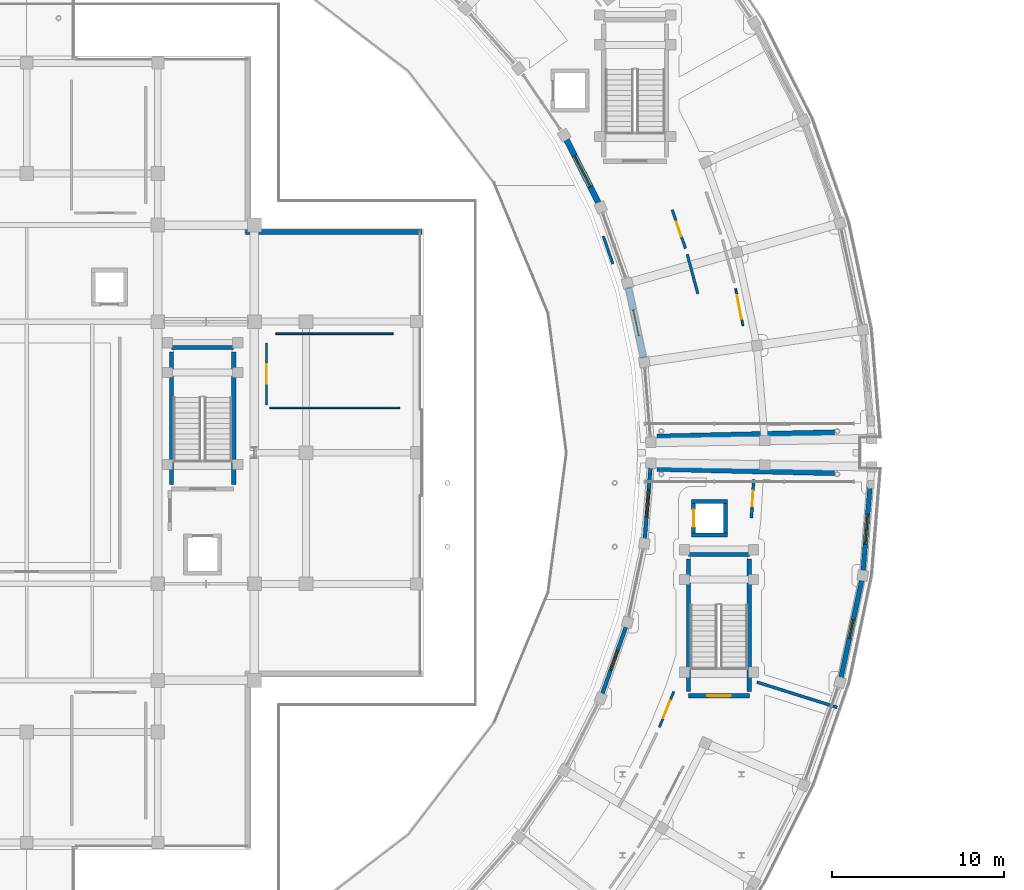
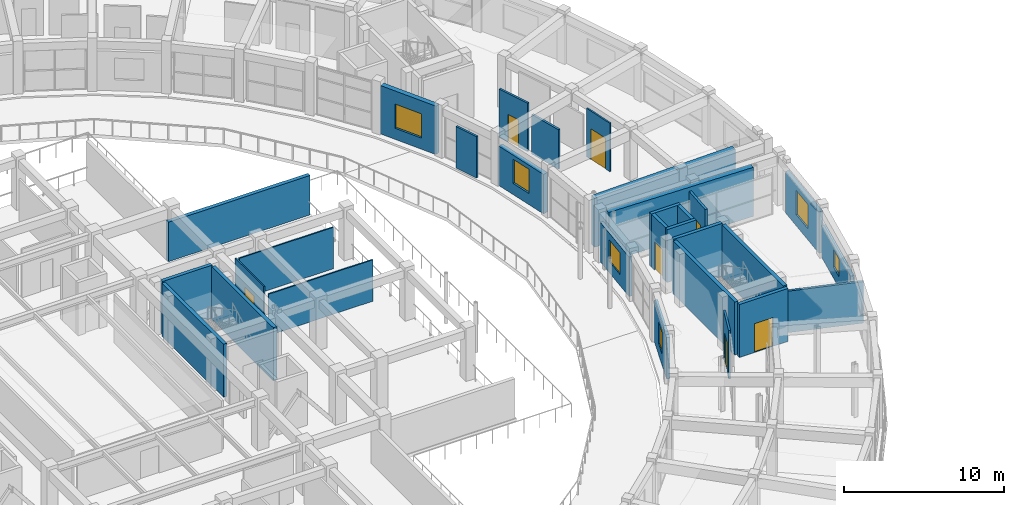
# One storey, part 60 of 83: 30 walls, 7 doors, 6 windows, 13 openings.
"""IFC4 building model written with IfcOpenShell, lengths in metres."""

from ifc_helpers import new_model, si_unit, direction, frame, frame_2d, origin, place, context, subcontext, project, spatial, rectangle, extrude, material, layer, layer_set, type_object, element, fill, save


model = new_model("IFC4")

# Units and contexts
model_context = context("Model", 3, precision=1e-05, world=origin(), true_north=direction((0.0, 1.0)))
body_context = subcontext(model_context, "Body", "Model", "MODEL_VIEW")
ifc_project = project(units=[si_unit("LENGTHUNIT", "METRE"), si_unit("AREAUNIT", "SQUARE_METRE"), si_unit("VOLUMEUNIT", "CUBIC_METRE"), si_unit("PLANEANGLEUNIT", "RADIAN"), si_unit("MASSUNIT", "GRAM", prefix="KILO")], contexts=[model_context])

# Site, building, storey
site_placement = place(None, origin())
site = spatial("IfcSite", under=ifc_project, at=site_placement, CompositionType="ELEMENT")
building_placement = place(site_placement, origin())
building = spatial("IfcBuilding", under=site, at=building_placement, Name="Saryqyr Civic Hall", CompositionType="ELEMENT")
storey_placement = place(building_placement, frame((0.0, 0.0, 9.14990234375)))
storey = spatial("IfcBuildingStorey", under=building, at=storey_placement, Name="L02", CompositionType="ELEMENT", Elevation=9.14990234375)

# Wall, opening, window
ifc_material_1 = material(Name="Precast concrete C40/50", Category="concrete")
ifc_layer_1 = layer(ifc_material_1, 0.219970703125, Name="Precast concrete C40/50")
ifc_layer_set_1 = layer_set([ifc_layer_1], Name="Precast concrete C40/50")
wall_type_1 = type_object("IfcWallType", Name="ENV-WAL-EXT-220", PredefinedType="STANDARD", material=ifc_layer_set_1)
wall_1_placement = place(storey_placement, frame((90.364501953125, 69.99462890625, 0.0), z_axis=(0.0, 0.0, 1.0), x_axis=(0.333168640656, 0.942867253055, 0.0)))
wall_1 = element("IfcWall", 1, at=wall_1_placement, inside=storey, type_object=wall_type_1, Name="Exterior wall V5-EWI-L02-07", PredefinedType="STANDARD", context=body_context, shape_type="SweptSolid", body=[
    extrude(rectangle(XDim=4.1767578125, YDim=0.219970703125, at=frame_2d((2.08837890625, 0.0))), origin(), (0.0, 0.0, 1.0), 3.1650390625),
])
opening_1_placement = place(wall_1_placement, frame((1.488037109375, 0.0, 0.85009765625)))
opening_1 = element("IfcOpeningElement", 2, at=opening_1_placement, cuts=wall_1, Name="Opening W-17", PredefinedType="OPENING", context=body_context, shape_type="SweptSolid", body=[
    extrude(rectangle(XDim=1.199951171875, YDim=1.64990234375, at=frame_2d((0.60009765625, 0.824951171875))), frame((0.0, 0.119873046875, 0.0), z_axis=(0.0, -1.0, 0.0), x_axis=(1.0, 0.0, 0.0)), (0.0, 0.0, 1.0), 0.239990234375),
])
ifc_material_2 = material(Name="Anodised aluminium and triple low-E glass", Category="aluminium")
window_type_1 = type_object("IfcWindowType", Name="ENV-WIN-W17", PartitioningType="SINGLE_PANEL", PredefinedType="WINDOW", material=ifc_material_2)
window_1_placement = place(opening_1_placement, origin())
window_1 = element("IfcWindow", 3, at=window_1_placement, inside=storey, type_object=window_type_1, Name="Courtyard window V5-L02-07", OverallHeight=1.64990234375, OverallWidth=1.199951171875, PartitioningType="SINGLE_PANEL", PredefinedType="WINDOW", context=body_context, shape_type="SweptSolid", body=[
    extrude(rectangle(XDim=1.199951171875, YDim=1.64990234375, at=frame_2d((0.60009765625, 0.824951171875))), frame((0.0, 0.030029296875, 0.0), z_axis=(0.0, -1.0, 0.0), x_axis=(1.0, 0.0, 0.0)), (0.0, 0.0, 1.0), 0.06005859375),
])
fill(opening_1, window_1)

wall_2_placement = place(storey_placement, frame((92.8349609375, 78.974853515625, 0.0), z_axis=(0.0, 0.0, 1.0), x_axis=(0.081074723481, 0.99670802606, 0.0)))
wall_2 = element("IfcWall", 4, at=wall_2_placement, inside=storey, type_object=wall_type_1, Name="Exterior wall V5-EWI-L02-09", PredefinedType="STANDARD", context=body_context, shape_type="SweptSolid", body=[
    extrude(rectangle(XDim=4.203857421875, YDim=0.219970703125, at=frame_2d((2.10205078125, 0.0))), origin(), (0.0, 0.0, 1.0), 3.01513671875),
])
opening_2_placement = place(wall_2_placement, frame((1.302001953125, 0.0, 0.85009765625)))
opening_2 = element("IfcOpeningElement", 5, at=opening_2_placement, cuts=wall_2, Name="Opening W-19", PredefinedType="OPENING", context=body_context, shape_type="SweptSolid", body=[
    extrude(rectangle(XDim=1.60009765625, YDim=1.64990234375, at=frame_2d((0.800048828125, 0.824951171875))), frame((0.0, 0.119873046875, 0.0), z_axis=(0.0, -1.0, 0.0), x_axis=(1.0, 0.0, 0.0)), (0.0, 0.0, 1.0), 0.239990234375),
])
window_type_2 = type_object("IfcWindowType", Name="ENV-WIN-W19", PartitioningType="SINGLE_PANEL", PredefinedType="WINDOW", material=ifc_material_2)
window_2_placement = place(opening_2_placement, origin())
window_2 = element("IfcWindow", 6, at=window_2_placement, inside=storey, type_object=window_type_2, Name="Courtyard window V5-L02-09", OverallHeight=1.64990234375, OverallWidth=1.60009765625, PartitioningType="SINGLE_PANEL", PredefinedType="WINDOW", context=body_context, shape_type="SweptSolid", body=[
    extrude(rectangle(XDim=1.60009765625, YDim=1.64990234375, at=frame_2d((0.800048828125, 0.824951171875))), frame((0.0, 0.030029296875, 0.0), z_axis=(0.0, -1.0, 0.0), x_axis=(1.0, 0.0, 0.0)), (0.0, 0.0, 1.0), 0.06005859375),
])
fill(opening_2, window_2)

ifc_layer_2 = layer(ifc_material_1, 0.27001953125, Name="Precast concrete C40/50")
ifc_layer_set_2 = layer_set([ifc_layer_2], Name="Precast concrete C40/50")
wall_type_2 = type_object("IfcWallType", Name="ENV-WAL-EXT-270", PredefinedType="STANDARD", material=ifc_layer_set_2)
wall_3_placement = place(storey_placement, frame((105.4296875, 76.64501953125, 0.0), z_axis=(0.0, 0.0, 1.0), x_axis=(-0.208873267346, -0.977942717233, 0.0)))
wall_3 = element("IfcWall", 7, at=wall_3_placement, inside=storey, type_object=wall_type_2, Name="Exterior wall V5-EWO-L02-08", PredefinedType="STANDARD", context=body_context, shape_type="SweptSolid", body=[
    extrude(rectangle(XDim=5.84765625, YDim=0.27001953125, at=frame_2d((2.923828125, 0.0))), origin(), (0.0, 0.0, 1.0), 2.4501953125),
])
opening_3_placement = place(wall_3_placement, frame((2.3740234375, 0.0, 0.85009765625)))
opening_3 = element("IfcOpeningElement", 8, at=opening_3_placement, cuts=wall_3, Name="Opening W-01", PredefinedType="OPENING", context=body_context, shape_type="SweptSolid", body=[
    extrude(rectangle(XDim=1.10009765625, YDim=1.35009765625, at=frame_2d((0.550048828125, 0.675048828125))), frame((0.0, 0.14501953125, 0.0), z_axis=(0.0, -1.0, 0.0), x_axis=(1.0, 0.0, 0.0)), (0.0, 0.0, 1.0), 0.2900390625),
])
window_type_3 = type_object("IfcWindowType", Name="ENV-WIN-W01", PartitioningType="SINGLE_PANEL", PredefinedType="WINDOW", material=ifc_material_2)
window_3_placement = place(opening_3_placement, origin())
window_3 = element("IfcWindow", 9, at=window_3_placement, inside=storey, type_object=window_type_3, Name="Exterior ribbon window V5-L02-08", OverallHeight=1.35009765625, OverallWidth=1.10009765625, PartitioningType="SINGLE_PANEL", PredefinedType="WINDOW", context=body_context, shape_type="SweptSolid", body=[
    extrude(rectangle(XDim=1.10009765625, YDim=1.35009765625, at=frame_2d((0.550048828125, 0.675048828125))), frame((0.0, 0.030029296875, 0.0), z_axis=(0.0, -1.0, 0.0), x_axis=(1.0, 0.0, 0.0)), (0.0, 0.0, 1.0), 0.06005859375),
])
fill(opening_3, window_3)

wall_4_placement = place(storey_placement, frame((105.897705078125, 82.01171875, 0.0), z_axis=(0.0, 0.0, 1.0), x_axis=(-0.081149437974, -0.996701945777, 0.0)))
wall_4 = element("IfcWall", 10, at=wall_4_placement, inside=storey, type_object=wall_type_2, Name="Exterior wall V5-EWO-L02-09", PredefinedType="STANDARD", context=body_context, shape_type="SweptSolid", body=[
    extrude(rectangle(XDim=4.912841796875, YDim=0.27001953125, at=frame_2d((2.45654296875, 0.0))), origin(), (0.0, 0.0, 1.0), 3.1650390625),
])
opening_4_placement = place(wall_4_placement, frame((1.5810546875, 0.0, 0.85009765625)))
opening_4 = element("IfcOpeningElement", 11, at=opening_4_placement, cuts=wall_4, Name="Opening W-27", PredefinedType="OPENING", context=body_context, shape_type="SweptSolid", body=[
    extrude(rectangle(XDim=1.75, YDim=1.85009765625, at=frame_2d((0.875, 0.925048828125))), frame((0.0, 0.14501953125, 0.0), z_axis=(0.0, -1.0, 0.0), x_axis=(1.0, 0.0, 0.0)), (0.0, 0.0, 1.0), 0.2900390625),
])
window_type_4 = type_object("IfcWindowType", Name="ENV-WIN-W27", PartitioningType="SINGLE_PANEL", PredefinedType="WINDOW", material=ifc_material_2)
window_4_placement = place(opening_4_placement, origin())
window_4 = element("IfcWindow", 12, at=window_4_placement, inside=storey, type_object=window_type_4, Name="Exterior ribbon window V5-L02-09", OverallHeight=1.85009765625, OverallWidth=1.75, PartitioningType="SINGLE_PANEL", PredefinedType="WINDOW", context=body_context, shape_type="SweptSolid", body=[
    extrude(rectangle(XDim=1.75, YDim=1.85009765625, at=frame_2d((0.875, 0.925048828125))), frame((0.0, 0.030029296875, 0.0), z_axis=(0.0, -1.0, 0.0), x_axis=(1.0, 0.0, 0.0)), (0.0, 0.0, 1.0), 0.06005859375),
])
fill(opening_4, window_4)

# Wall
wall_5_placement = place(storey_placement, frame((69.679931640625, 96.800048828125, 0.0), z_axis=(0.0, 0.0, 1.0), x_axis=(1.0, 0.0, 0.0)))
element("IfcWall", 13, at=wall_5_placement, inside=storey, type_object=wall_type_2, Name="Exterior wall V1-EW-L02-07", PredefinedType="STANDARD", context=body_context, shape_type="SweptSolid", body=[
    extrude(rectangle(XDim=10.239990234375, YDim=0.27001953125, at=frame_2d((5.1201171875, 0.0))), origin(), (0.0, 0.0, 1.0), 3.01513671875),
])

# Wall, opening, window
ifc_layer_3 = layer(ifc_material_1, 0.340087890625, Name="Precast concrete C40/50")
ifc_layer_set_3 = layer_set([ifc_layer_3], Name="Precast concrete C40/50")
wall_type_3 = type_object("IfcWallType", Name="ENV-WAL-EXT-340", PredefinedType="STANDARD", material=ifc_layer_set_3)
wall_6_placement = place(storey_placement, frame((92.765625, 89.4951171875, 0.0), z_axis=(0.0, 0.0, 1.0), x_axis=(-0.208893062569, 0.977938489073, 0.0)))
wall_6 = element("IfcWall", 14, at=wall_6_placement, inside=storey, type_object=wall_type_3, Name="Exterior wall V6-EWI-L02-01", PredefinedType="STANDARD", context=body_context, shape_type="SweptSolid", body=[
    extrude(rectangle(XDim=4.194580078125, YDim=0.340087890625, at=frame_2d((2.09716796875, 0.0))), origin(), (0.0, 0.0, 1.0), 3.01513671875),
])
opening_5_placement = place(wall_6_placement, frame((1.346923828125, 0.0, 0.85009765625)))
opening_5 = element("IfcOpeningElement", 15, at=opening_5_placement, cuts=wall_6, Name="Opening W-26", PredefinedType="OPENING", context=body_context, shape_type="SweptSolid", body=[
    extrude(rectangle(XDim=1.5, YDim=1.85009765625, at=frame_2d((0.75, 0.925048828125))), frame((0.0, 0.179931640625, 0.0), z_axis=(0.0, -1.0, 0.0), x_axis=(1.0, 0.0, 0.0)), (0.0, 0.0, 1.0), 0.360107421875),
])
window_type_5 = type_object("IfcWindowType", Name="ENV-WIN-W26", PartitioningType="SINGLE_PANEL", PredefinedType="WINDOW", material=ifc_material_2)
window_5_placement = place(opening_5_placement, origin())
window_5 = element("IfcWindow", 16, at=window_5_placement, inside=storey, type_object=window_type_5, Name="Courtyard window V6-L02-01", OverallHeight=1.85009765625, OverallWidth=1.5, PartitioningType="SINGLE_PANEL", PredefinedType="WINDOW", context=body_context, shape_type="SweptSolid", body=[
    extrude(rectangle(XDim=1.5, YDim=1.85009765625, at=frame_2d((0.75, 0.925048828125))), frame((0.0, 0.030029296875, 0.0), z_axis=(0.0, -1.0, 0.0), x_axis=(1.0, 0.0, 0.0)), (0.0, 0.0, 1.0), 0.06005859375),
])
fill(opening_5, window_5)

wall_7_placement = place(storey_placement, frame((90.162353515625, 98.475341796875, 0.0), z_axis=(0.0, 0.0, 1.0), x_axis=(-0.451915465701, 0.89206076691, 0.0)))
wall_7 = element("IfcWall", 17, at=wall_7_placement, inside=storey, type_object=wall_type_3, Name="Exterior wall V6-EWI-L02-03", PredefinedType="STANDARD", context=body_context, shape_type="SweptSolid", body=[
    extrude(rectangle(XDim=4.1484375, YDim=0.340087890625, at=frame_2d((2.07421875, 0.0))), origin(), (0.0, 0.0, 1.0), 3.7001953125),
])
opening_6_placement = place(wall_7_placement, frame((1.073974609375, 0.0, 0.85009765625)))
opening_6 = element("IfcOpeningElement", 18, at=opening_6_placement, cuts=wall_7, Name="Opening W-28", PredefinedType="OPENING", context=body_context, shape_type="SweptSolid", body=[
    extrude(rectangle(XDim=2.0, YDim=1.85009765625, at=frame_2d((1.0, 0.925048828125))), frame((0.0, 0.179931640625, 0.0), z_axis=(0.0, -1.0, 0.0), x_axis=(1.0, 0.0, 0.0)), (0.0, 0.0, 1.0), 0.360107421875),
])
window_type_6 = type_object("IfcWindowType", Name="ENV-WIN-W28", PartitioningType="SINGLE_PANEL", PredefinedType="WINDOW", material=ifc_material_2)
window_6_placement = place(opening_6_placement, origin())
window_6 = element("IfcWindow", 19, at=window_6_placement, inside=storey, type_object=window_type_6, Name="Courtyard window V6-L02-03", OverallHeight=1.85009765625, OverallWidth=2.0, PartitioningType="SINGLE_PANEL", PredefinedType="WINDOW", context=body_context, shape_type="SweptSolid", body=[
    extrude(rectangle(XDim=2.0, YDim=1.85009765625, at=frame_2d((1.0, 0.925048828125))), frame((0.0, 0.030029296875, 0.0), z_axis=(0.0, -1.0, 0.0), x_axis=(1.0, 0.0, 0.0)), (0.0, 0.0, 1.0), 0.06005859375),
])
fill(opening_6, window_6)

# Walls
ifc_material_3 = material(Name="Concrete C40/50", Category="concrete")
ifc_layer_4 = layer(ifc_material_3, 0.3798828125, Name="Concrete C40/50")
ifc_layer_set_4 = layer_set([ifc_layer_4], Name="Concrete C40/50")
wall_type_4 = type_object("IfcWallType", Name="ENV-WAL-PTY-380", PredefinedType="SHEAR", material=ifc_layer_set_4)
for number, where, z_axis, x_axis, name in (
    (20, (93.5390625, 83.10693359375, 0.0), (0.0, 0.0, 1.0), (0.999701591947, -0.024427997417, 0.0), "Exterior wall V5-JNTW-B-L02"),
    (21, (103.85009765625, 85.14501953125, 0.0), (0.0, 0.0, 1.0), (-0.999701591947, -0.024427997417, 0.0), "Exterior wall V6-JNTW-A-L02"),
):
    element("IfcWall", number, at=place(storey_placement, frame(where, z_axis=z_axis, x_axis=x_axis)), inside=storey, type_object=wall_type_4, Name=name, PredefinedType="SHEAR", context=body_context, shape_type="SweptSolid", body=[
        extrude(rectangle(XDim=10.314208984375, YDim=0.3798828125, at=frame_2d((5.1572265625, 0.0))), origin(), (0.0, 0.0, 1.0), 3.75),
    ])

# Wall, opening, door
ifc_material_4 = material(Name="Lightweight demountable partition", Category="gypsum")
ifc_layer_5 = layer(ifc_material_4, 0.094970703125, Name="Lightweight demountable partition")
ifc_layer_set_5 = layer_set([ifc_layer_5], Name="Lightweight demountable partition")
wall_type_5 = type_object("IfcWallType", Name="INT-WAL-PRT-095", PredefinedType="PARTITIONING", material=ifc_layer_set_5)
wall_8_placement = place(storey_placement, frame((70.89990234375, 86.780029296875, 0.0), z_axis=(0.0, 0.0, 1.0), x_axis=(0.0, 1.0, 0.0)))
wall_8 = element("IfcWall", 22, at=wall_8_placement, inside=storey, type_object=wall_type_5, Name="Interior partition PRT-SP-V1-L02-R05-W1", PredefinedType="PARTITIONING", context=body_context, shape_type="SweptSolid", body=[
    extrude(rectangle(XDim=3.570068359375, YDim=0.094970703125, at=frame_2d((1.78515625, 0.0))), origin(), (0.0, 0.0, 1.0), 3.7001953125),
])
opening_7_placement = place(wall_8_placement, frame((1.2099609375, 0.0, 0.0)))
opening_7 = element("IfcOpeningElement", 23, at=opening_7_placement, cuts=wall_8, Name="Opening D-11", PredefinedType="OPENING", context=body_context, shape_type="SweptSolid", body=[
    extrude(rectangle(XDim=1.14990234375, YDim=2.219970703125, at=frame_2d((0.574951171875, 1.10986328125))), frame((0.0, 0.057373046875, 0.0), z_axis=(0.0, -1.0, 0.0), x_axis=(1.0, 0.0, 0.0)), (0.0, 0.0, 1.0), 0.114990234375),
])
ifc_material_5 = material(Name="Acoustic solid-core oak veneer", Category="wood")
door_type_1 = type_object("IfcDoorType", Name="INT-DR-D-11", OperationType="NOTDEFINED", PredefinedType="DOOR", material=ifc_material_5)
door_1_placement = place(opening_7_placement, origin())
door_1 = element("IfcDoor", 24, at=door_1_placement, inside=storey, type_object=door_type_1, Name="Interior door Caucus Room East & Accessible MGN WC", OperationType="SINGLE_SWING_LEFT", OverallHeight=2.219970703125, OverallWidth=1.14990234375, PredefinedType="DOOR", context=body_context, shape_type="SweptSolid", body=[
    extrude(rectangle(XDim=1.14990234375, YDim=2.219970703125, at=frame_2d((0.574951171875, 1.10986328125))), frame((0.0, 0.02490234375, 0.0), z_axis=(0.0, -1.0, 0.0), x_axis=(1.0, 0.0, 0.0)), (0.0, 0.0, 1.0), 0.050048828125),
])
fill(opening_7, door_1)

# Walls
wall_9_placement = place(storey_placement, frame((71.449951171875, 90.89990234375, 0.0), z_axis=(0.0, 0.0, 1.0), x_axis=(1.0, 0.0, 0.0)))
element("IfcWall", 25, at=wall_9_placement, inside=storey, type_object=wall_type_5, Name="Interior partition PRT-SP-V1-L02-R05-W2", PredefinedType="PARTITIONING", context=body_context, shape_type="SweptSolid", body=[
    extrude(rectangle(XDim=6.800048828125, YDim=0.094970703125, at=frame_2d((3.39990234375, 0.0))), origin(), (0.0, 0.0, 1.0), 3.1650390625),
])
wall_10_placement = place(storey_placement, frame((78.6201171875, 86.60009765625, 0.0), z_axis=(0.0, 0.0, 1.0), x_axis=(-1.0, 0.0, 0.0)))
element("IfcWall", 26, at=wall_10_placement, inside=storey, type_object=wall_type_5, Name="Interior partition PRT-SP-V1-L02-R05-W3", PredefinedType="PARTITIONING", context=body_context, shape_type="SweptSolid", body=[
    extrude(rectangle(XDim=7.5400390625, YDim=0.094970703125, at=frame_2d((3.77001953125, 0.0))), origin(), (0.0, 0.0, 1.0), 3.1650390625),
])

# Wall, opening, door
ifc_material_6 = material(Name="Moisture-resistant gypsum partition", Category="gypsum")
ifc_layer_6 = layer(ifc_material_6, 0.110107421875, Name="Moisture-resistant gypsum partition")
ifc_layer_set_6 = layer_set([ifc_layer_6], Name="Moisture-resistant gypsum partition")
wall_type_6 = type_object("IfcWallType", Name="INT-WAL-PRT-110", PredefinedType="PARTITIONING", material=ifc_layer_set_6)
wall_11_placement = place(storey_placement, frame((98.537353515625, 91.361083984375, 0.0), z_axis=(0.0, 0.0, 1.0), x_axis=(-0.195795764222, 0.980644695449, 0.0)))
wall_11 = element("IfcWall", 27, at=wall_11_placement, inside=storey, type_object=wall_type_6, Name="Interior partition PRT-SP-V6-L02-R01-W2", PredefinedType="PARTITIONING", context=body_context, shape_type="SweptSolid", body=[
    extrude(rectangle(XDim=2.1982421875, YDim=0.110107421875, at=frame_2d((1.09912109375, 0.0))), origin(), (0.0, 0.0, 1.0), 3.7001953125),
])
opening_8_placement = place(wall_11_placement, frame((0.39892578125, 0.0, 0.0)))
opening_8 = element("IfcOpeningElement", 28, at=opening_8_placement, cuts=wall_11, Name="Opening D-18", PredefinedType="OPENING", context=body_context, shape_type="SweptSolid", body=[
    extrude(rectangle(XDim=1.39990234375, YDim=2.35009765625, at=frame_2d((0.699951171875, 1.175048828125))), frame((0.0, 0.06494140625, 0.0), z_axis=(0.0, -1.0, 0.0), x_axis=(1.0, 0.0, 0.0)), (0.0, 0.0, 1.0), 0.130126953125),
])
door_type_2 = type_object("IfcDoorType", Name="INT-DR-D-18", OperationType="NOTDEFINED", PredefinedType="DOOR", material=ifc_material_5)
door_2_placement = place(opening_8_placement, origin())
door_2 = element("IfcDoor", 29, at=door_2_placement, inside=storey, type_object=door_type_2, Name="Interior door Water Resources & Mudflow Protection Office", OperationType="SINGLE_SWING_RIGHT", OverallHeight=2.35009765625, OverallWidth=1.39990234375, PredefinedType="DOOR", context=body_context, shape_type="SweptSolid", body=[
    extrude(rectangle(XDim=1.39990234375, YDim=2.35009765625, at=frame_2d((0.699951171875, 1.175048828125))), frame((0.0, 0.02490234375, 0.0), z_axis=(0.0, -1.0, 0.0), x_axis=(1.0, 0.0, 0.0)), (0.0, 0.0, 1.0), 0.050048828125),
])
fill(opening_8, door_2)

ifc_material_7 = material(Name="Metal-stud gypsum board partition", Category="gypsum")
ifc_layer_7 = layer(ifc_material_7, 0.139892578125, Name="Metal-stud gypsum board partition")
ifc_layer_set_7 = layer_set([ifc_layer_7], Name="Metal-stud gypsum board partition")
wall_type_7 = type_object("IfcWallType", Name="INT-WAL-PRT-140", PredefinedType="PARTITIONING", material=ifc_layer_set_7)
wall_12_placement = place(storey_placement, frame((94.521728515625, 70.155029296875, 0.0), z_axis=(0.0, 0.0, 1.0), x_axis=(-0.372385151869, -0.928078282618, 0.0)))
wall_12 = element("IfcWall", 30, at=wall_12_placement, inside=storey, type_object=wall_type_7, Name="Interior partition PRT-SP-V5-L02-R05-W1", PredefinedType="PARTITIONING", context=body_context, shape_type="SweptSolid", body=[
    extrude(rectangle(XDim=2.242919921875, YDim=0.139892578125, at=frame_2d((1.12158203125, 0.0))), origin(), (0.0, 0.0, 1.0), 3.7001953125),
])
opening_9_placement = place(wall_12_placement, frame((0.571044921875, 0.0, 0.0)))
opening_9 = element("IfcOpeningElement", 31, at=opening_9_placement, cuts=wall_12, Name="Opening D-17", PredefinedType="OPENING", context=body_context, shape_type="SweptSolid", body=[
    extrude(rectangle(XDim=1.10009765625, YDim=2.35009765625, at=frame_2d((0.550048828125, 1.175048828125))), frame((0.0, 0.079833984375, 0.0), z_axis=(0.0, -1.0, 0.0), x_axis=(1.0, 0.0, 0.0)), (0.0, 0.0, 1.0), 0.159912109375),
])
door_type_3 = type_object("IfcDoorType", Name="INT-DR-D-17", OperationType="NOTDEFINED", PredefinedType="DOOR", material=ifc_material_5)
door_3_placement = place(opening_9_placement, origin())
door_3 = element("IfcDoor", 32, at=door_3_placement, inside=storey, type_object=door_type_3, Name="Interior door Departmental Collaboration Hub", OperationType="SINGLE_SWING_LEFT", OverallHeight=2.35009765625, OverallWidth=1.10009765625, PredefinedType="DOOR", context=body_context, shape_type="SweptSolid", body=[
    extrude(rectangle(XDim=1.10009765625, YDim=2.35009765625, at=frame_2d((0.550048828125, 1.175048828125))), frame((0.0, 0.02490234375, 0.0), z_axis=(0.0, -1.0, 0.0), x_axis=(1.0, 0.0, 0.0)), (0.0, 0.0, 1.0), 0.050048828125),
])
fill(opening_9, door_3)

ifc_material_8 = material(Name="Acoustic double-stud gypsum board", Category="gypsum")
ifc_layer_8 = layer(ifc_material_8, 0.155029296875, Name="Acoustic double-stud gypsum board")
ifc_layer_set_8 = layer_set([ifc_layer_8], Name="Acoustic double-stud gypsum board")
wall_type_8 = type_object("IfcWallType", Name="INT-WAL-PRT-155", PredefinedType="PARTITIONING", material=ifc_layer_set_8)
wall_13_placement = place(storey_placement, frame((94.4306640625, 98.08837890625, 0.0), z_axis=(0.0, 0.0, 1.0), x_axis=(0.324416625627, -0.945914294752, 0.0)))
wall_13 = element("IfcWall", 33, at=wall_13_placement, inside=storey, type_object=wall_type_8, Name="Interior partition PRT-SP-V6-L02-R04-W1", PredefinedType="PARTITIONING", context=body_context, shape_type="SweptSolid", body=[
    extrude(rectangle(XDim=2.36669921875, YDim=0.155029296875, at=frame_2d((1.183349609375, 0.0))), origin(), (0.0, 0.0, 1.0), 3.7001953125),
])
opening_10_placement = place(wall_13_placement, frame((0.73291015625, 0.0, 0.0)))
opening_10 = element("IfcOpeningElement", 34, at=opening_10_placement, cuts=wall_13, Name="Opening D-01", PredefinedType="OPENING", context=body_context, shape_type="SweptSolid", body=[
    extrude(rectangle(XDim=0.89990234375, YDim=2.10009765625, at=frame_2d((0.449951171875, 1.050048828125))), frame((0.0, 0.08740234375, 0.0), z_axis=(0.0, -1.0, 0.0), x_axis=(1.0, 0.0, 0.0)), (0.0, 0.0, 1.0), 0.175048828125),
])
door_type_4 = type_object("IfcDoorType", Name="INT-DR-D-01", OperationType="NOTDEFINED", PredefinedType="DOOR", material=ifc_material_5)
door_4_placement = place(opening_10_placement, origin())
door_4 = element("IfcDoor", 35, at=door_4_placement, inside=storey, type_object=door_type_4, Name="Interior door Standing Committee Room 8 (Regional Coordination)", OperationType="SINGLE_SWING_LEFT", OverallHeight=2.10009765625, OverallWidth=0.89990234375, PredefinedType="DOOR", context=body_context, shape_type="SweptSolid", body=[
    extrude(rectangle(XDim=0.89990234375, YDim=2.10009765625, at=frame_2d((0.449951171875, 1.050048828125))), frame((0.0, 0.02490234375, 0.0), z_axis=(0.0, -1.0, 0.0), x_axis=(1.0, 0.0, 0.0)), (0.0, 0.0, 1.0), 0.050048828125),
])
fill(opening_10, door_4)

# Walls
wall_14_placement = place(storey_placement, frame((95.3037109375, 95.505615234375, 0.0), z_axis=(0.0, 0.0, 1.0), x_axis=(0.259100404283, -0.9658503924, 0.0)))
element("IfcWall", 36, at=wall_14_placement, inside=storey, type_object=wall_type_8, Name="Interior partition PRT-SP-V6-L02-R04-W2", PredefinedType="PARTITIONING", context=body_context, shape_type="SweptSolid", body=[
    extrude(rectangle(XDim=2.366943359375, YDim=0.155029296875, at=frame_2d((1.18359375, 0.0))), origin(), (0.0, 0.0, 1.0), 3.01513671875),
])
wall_15_placement = place(storey_placement, frame((90.985107421875, 94.949951171875, 0.0), z_axis=(0.0, 0.0, 1.0), x_axis=(-0.324463429437, 0.945898241334, 0.0)))
element("IfcWall", 37, at=wall_15_placement, inside=storey, type_object=wall_type_8, Name="Interior partition PRT-SP-V6-L02-R04-W3", PredefinedType="PARTITIONING", context=body_context, shape_type="SweptSolid", body=[
    extrude(rectangle(XDim=1.705078125, YDim=0.155029296875, at=frame_2d((0.8525390625, 0.0))), origin(), (0.0, 0.0, 1.0), 3.1650390625),
])

# Wall, opening, door
ifc_layer_9 = layer(ifc_material_8, 0.169921875, Name="Acoustic double-stud gypsum board")
ifc_layer_set_9 = layer_set([ifc_layer_9], Name="Acoustic double-stud gypsum board")
wall_type_9 = type_object("IfcWallType", Name="INT-WAL-PRT-170", PredefinedType="PARTITIONING", material=ifc_layer_set_9)
wall_16_placement = place(storey_placement, frame((99.02490234375, 80.223876953125, 0.0), z_axis=(0.0, 0.0, 1.0), x_axis=(0.058613248542, 0.998280765664, 0.0)))
wall_16 = element("IfcWall", 38, at=wall_16_placement, inside=storey, type_object=wall_type_9, Name="Interior partition PRT-SP-V5-L02-R03-W1", PredefinedType="PARTITIONING", context=body_context, shape_type="SweptSolid", body=[
    extrude(rectangle(XDim=2.23681640625, YDim=0.169921875, at=frame_2d((1.118408203125, 0.0))), origin(), (0.0, 0.0, 1.0), 3.7001953125),
])
opening_11_placement = place(wall_16_placement, frame((0.66796875, 0.0, 0.0)))
opening_11 = element("IfcOpeningElement", 39, at=opening_11_placement, cuts=wall_16, Name="Opening D-01", PredefinedType="OPENING", context=body_context, shape_type="SweptSolid", body=[
    extrude(rectangle(XDim=0.89990234375, YDim=2.10009765625, at=frame_2d((0.449951171875, 1.050048828125))), frame((0.0, 0.094970703125, 0.0), z_axis=(0.0, -1.0, 0.0), x_axis=(1.0, 0.0, 0.0)), (0.0, 0.0, 1.0), 0.18994140625),
])
door_5_placement = place(opening_11_placement, origin())
door_5 = element("IfcDoor", 40, at=door_5_placement, inside=storey, type_object=door_type_4, Name="Interior door Staff & Accessible MGN WC L02-E", OperationType="SINGLE_SWING_LEFT", OverallHeight=2.10009765625, OverallWidth=0.89990234375, PredefinedType="DOOR", context=body_context, shape_type="SweptSolid", body=[
    extrude(rectangle(XDim=0.89990234375, YDim=2.10009765625, at=frame_2d((0.449951171875, 1.050048828125))), frame((0.0, 0.02490234375, 0.0), z_axis=(0.0, -1.0, 0.0), x_axis=(1.0, 0.0, 0.0)), (0.0, 0.0, 1.0), 0.050048828125),
])
fill(opening_11, door_5)

# Walls
wall_17_placement = place(storey_placement, frame((103.998046875, 69.23388671875, 0.0), z_axis=(0.0, 0.0, 1.0), x_axis=(-0.953940529117, 0.299995778149, 0.0)))
element("IfcWall", 41, at=wall_17_placement, inside=storey, type_object=wall_type_9, Name="Interior partition PRT-SP-V5-L02-R03-W2", PredefinedType="PARTITIONING", context=body_context, shape_type="SweptSolid", body=[
    extrude(rectangle(XDim=4.8779296875, YDim=0.169921875, at=frame_2d((2.43896484375, 0.0))), origin(), (0.0, 0.0, 1.0), 3.1650390625),
])
ifc_layer_10 = layer(ifc_material_3, 0.239990234375, Name="Concrete C40/50")
ifc_layer_set_10 = layer_set([ifc_layer_10], Name="Concrete C40/50")
wall_type_10 = type_object("IfcWallType", Name="INT-WAL-SHR-240", PredefinedType="SHEAR", material=ifc_layer_set_10)
wall_18_placement = place(storey_placement, frame((97.64990234375, 79.219970703125, 0.0), z_axis=(0.0, 0.0, 1.0), x_axis=(-1.0, 0.0, 0.0)))
element("IfcWall", 42, at=wall_18_placement, inside=storey, type_object=wall_type_10, Name="Lift shaft shear wall LF-07-SHW-S-L02", PredefinedType="SHEAR", context=body_context, shape_type="SweptSolid", body=[
    extrude(rectangle(XDim=2.099853515625, YDim=0.239990234375, at=frame_2d((1.0498046875, 0.0))), origin(), (0.0, 0.0, 1.0), 4.050048828125),
])
wall_19_placement = place(storey_placement, frame((97.530029296875, 81.06005859375, 0.0), z_axis=(0.0, 0.0, 1.0), x_axis=(0.0, -1.0, 0.0)))
element("IfcWall", 43, at=wall_19_placement, inside=storey, type_object=wall_type_10, Name="Lift shaft shear wall LF-07-SHW-E-L02", PredefinedType="SHEAR", context=body_context, shape_type="SweptSolid", body=[
    extrude(rectangle(XDim=1.719970703125, YDim=0.239990234375, at=frame_2d((0.85986328125, 0.0))), origin(), (0.0, 0.0, 1.0), 4.050048828125),
])
wall_20_placement = place(storey_placement, frame((95.550048828125, 81.179931640625, 0.0), z_axis=(0.0, 0.0, 1.0), x_axis=(1.0, 0.0, 0.0)))
element("IfcWall", 44, at=wall_20_placement, inside=storey, type_object=wall_type_10, Name="Lift shaft shear wall LF-07-SHW-N-L02", PredefinedType="SHEAR", context=body_context, shape_type="SweptSolid", body=[
    extrude(rectangle(XDim=2.099853515625, YDim=0.239990234375, at=frame_2d((1.0498046875, 0.0))), origin(), (0.0, 0.0, 1.0), 4.050048828125),
])

# Wall, opening, door
wall_21_placement = place(storey_placement, frame((95.669921875, 79.340087890625, 0.0), z_axis=(0.0, 0.0, 1.0), x_axis=(0.0, 1.0, 0.0)))
wall_21 = element("IfcWall", 45, at=wall_21_placement, inside=storey, type_object=wall_type_10, Name="Lift shaft shear wall LF-07-SHW-W-L02", PredefinedType="SHEAR", context=body_context, shape_type="SweptSolid", body=[
    extrude(rectangle(XDim=1.719970703125, YDim=0.239990234375, at=frame_2d((0.85986328125, 0.0))), origin(), (0.0, 0.0, 1.0), 4.050048828125),
])
opening_12_placement = place(wall_21_placement, frame((0.360107421875, 0.0, 0.0)))
opening_12 = element("IfcOpeningElement", 46, at=opening_12_placement, cuts=wall_21, Name="Opening LD-02", PredefinedType="OPENING", context=body_context, shape_type="SweptSolid", body=[
    extrude(rectangle(XDim=1.0, YDim=2.14990234375, at=frame_2d((0.5, 1.074951171875))), frame((0.0, 0.1298828125, 0.0), z_axis=(0.0, -1.0, 0.0), x_axis=(1.0, 0.0, 0.0)), (0.0, 0.0, 1.0), 0.260009765625),
])
ifc_material_9 = material(Name="Brushed stainless steel", Category="steel")
door_type_5 = type_object("IfcDoorType", Name="INT-DR-LD-1000x2150", OperationType="NOTDEFINED", PredefinedType="DOOR", material=ifc_material_9)
door_6_placement = place(opening_12_placement, origin())
door_6 = element("IfcDoor", 47, at=door_6_placement, inside=storey, type_object=door_type_5, Name="Lift sliding landing door LF-07 L02", OperationType="SLIDING_TO_LEFT", OverallHeight=2.14990234375, OverallWidth=1.0, PredefinedType="DOOR", context=body_context, shape_type="SweptSolid", body=[
    extrude(rectangle(XDim=1.0, YDim=2.14990234375, at=frame_2d((0.5, 1.074951171875))), frame((0.0, 0.02490234375, 0.0), z_axis=(0.0, -1.0, 0.0), x_axis=(1.0, 0.0, 0.0)), (0.0, 0.0, 1.0), 0.050048828125),
])
fill(opening_12, door_6)

# Walls
ifc_layer_11 = layer(ifc_material_3, 0.25, Name="Concrete C40/50")
ifc_layer_set_11 = layer_set([ifc_layer_11], Name="Concrete C40/50")
wall_type_11 = type_object("IfcWallType", Name="INT-WAL-SHR-250", PredefinedType="SHEAR", material=ifc_layer_set_11)
wall_22_placement = place(storey_placement, frame((65.39990234375, 82.14990234375, 0.0), z_axis=(0.0, 0.0, 1.0), x_axis=(0.0, 1.0, 0.0)))
element("IfcWall", 48, at=wall_22_placement, inside=storey, type_object=wall_type_11, Name="Protected stair shaft wall ST-2-SW2-L02", PredefinedType="SHEAR", context=body_context, shape_type="SweptSolid", body=[
    extrude(rectangle(XDim=7.7001953125, YDim=0.25, at=frame_2d((3.85009765625, 0.0))), origin(), (0.0, 0.0, 1.0), 4.050048828125),
])
wall_23_placement = place(storey_placement, frame((65.39990234375, 90.10009765625, 0.0), z_axis=(0.0, 0.0, 1.0), x_axis=(1.0, 0.0, 0.0)))
element("IfcWall", 49, at=wall_23_placement, inside=storey, type_object=wall_type_11, Name="Protected stair shaft wall ST-2-SW3-L02", PredefinedType="SHEAR", context=body_context, shape_type="SweptSolid", body=[
    extrude(rectangle(XDim=3.60009765625, YDim=0.25, at=frame_2d((1.800048828125, 0.0))), origin(), (0.0, 0.0, 1.0), 4.050048828125),
])
wall_24_placement = place(storey_placement, frame((69.0, 89.85009765625, 0.0), z_axis=(0.0, 0.0, 1.0), x_axis=(0.0, -1.0, 0.0)))
element("IfcWall", 50, at=wall_24_placement, inside=storey, type_object=wall_type_11, Name="Protected stair shaft wall ST-2-SW4-L02", PredefinedType="SHEAR", context=body_context, shape_type="SweptSolid", body=[
    extrude(rectangle(XDim=7.7001953125, YDim=0.25, at=frame_2d((3.85009765625, 0.0))), origin(), (0.0, 0.0, 1.0), 4.050048828125),
])

# Wall, opening, door
wall_25_placement = place(storey_placement, frame((98.89990234375, 69.89990234375, 0.0), z_axis=(0.0, 0.0, 1.0), x_axis=(-1.0, 0.0, 0.0)))
wall_25 = element("IfcWall", 51, at=wall_25_placement, inside=storey, type_object=wall_type_11, Name="Protected stair shaft wall ST-5-SW1-L02", PredefinedType="SHEAR", context=body_context, shape_type="SweptSolid", body=[
    extrude(rectangle(XDim=3.52001953125, YDim=0.25, at=frame_2d((1.760009765625, 0.0))), origin(), (0.0, 0.0, 1.0), 4.050048828125),
])
opening_13_placement = place(wall_25_placement, frame((1.0849609375, 0.0, 0.0)))
opening_13 = element("IfcOpeningElement", 52, at=opening_13_placement, cuts=wall_25, Name="Opening SD-01", PredefinedType="OPENING", context=body_context, shape_type="SweptSolid", body=[
    extrude(rectangle(XDim=1.35009765625, YDim=2.199951171875, at=frame_2d((0.675048828125, 1.10009765625))), frame((0.0, 0.135009765625, 0.0), z_axis=(0.0, -1.0, 0.0), x_axis=(1.0, 0.0, 0.0)), (0.0, 0.0, 1.0), 0.27001953125),
])
ifc_material_10 = material(Name="Painted galvanized steel", Category="steel")
door_type_6 = type_object("IfcDoorType", Name="INT-DR-STAIR-1350x2200", OperationType="NOTDEFINED", PredefinedType="DOOR", material=ifc_material_10)
door_7_placement = place(opening_13_placement, origin())
door_7 = element("IfcDoor", 53, at=door_7_placement, inside=storey, type_object=door_type_6, Name="Exit stair landing fire door ST-5-L02", OperationType="SINGLE_SWING_RIGHT", OverallHeight=2.199951171875, OverallWidth=1.35009765625, PredefinedType="DOOR", context=body_context, shape_type="SweptSolid", body=[
    extrude(rectangle(XDim=1.35009765625, YDim=2.199951171875, at=frame_2d((0.675048828125, 1.10009765625))), frame((0.0, 0.02490234375, 0.0), z_axis=(0.0, -1.0, 0.0), x_axis=(1.0, 0.0, 0.0)), (0.0, 0.0, 1.0), 0.050048828125),
])
fill(opening_13, door_7)

# Walls
wall_26_placement = place(storey_placement, frame((95.3798828125, 70.14990234375, 0.0), z_axis=(0.0, 0.0, 1.0), x_axis=(0.0, 1.0, 0.0)))
element("IfcWall", 54, at=wall_26_placement, inside=storey, type_object=wall_type_11, Name="Protected stair shaft wall ST-5-SW2-L02", PredefinedType="SHEAR", context=body_context, shape_type="SweptSolid", body=[
    extrude(rectangle(XDim=7.7001953125, YDim=0.25, at=frame_2d((3.85009765625, 0.0))), origin(), (0.0, 0.0, 1.0), 4.050048828125),
])
wall_27_placement = place(storey_placement, frame((95.3798828125, 78.10009765625, 0.0), z_axis=(0.0, 0.0, 1.0), x_axis=(1.0, 0.0, 0.0)))
element("IfcWall", 55, at=wall_27_placement, inside=storey, type_object=wall_type_11, Name="Protected stair shaft wall ST-5-SW3-L02", PredefinedType="SHEAR", context=body_context, shape_type="SweptSolid", body=[
    extrude(rectangle(XDim=3.52001953125, YDim=0.25, at=frame_2d((1.760009765625, 0.0))), origin(), (0.0, 0.0, 1.0), 4.050048828125),
])
wall_28_placement = place(storey_placement, frame((98.89990234375, 77.85009765625, 0.0), z_axis=(0.0, 0.0, 1.0), x_axis=(0.0, -1.0, 0.0)))
element("IfcWall", 56, at=wall_28_placement, inside=storey, type_object=wall_type_11, Name="Protected stair shaft wall ST-5-SW4-L02", PredefinedType="SHEAR", context=body_context, shape_type="SweptSolid", body=[
    extrude(rectangle(XDim=7.7001953125, YDim=0.25, at=frame_2d((3.85009765625, 0.0))), origin(), (0.0, 0.0, 1.0), 4.050048828125),
])

save(model, "model.ifc")
